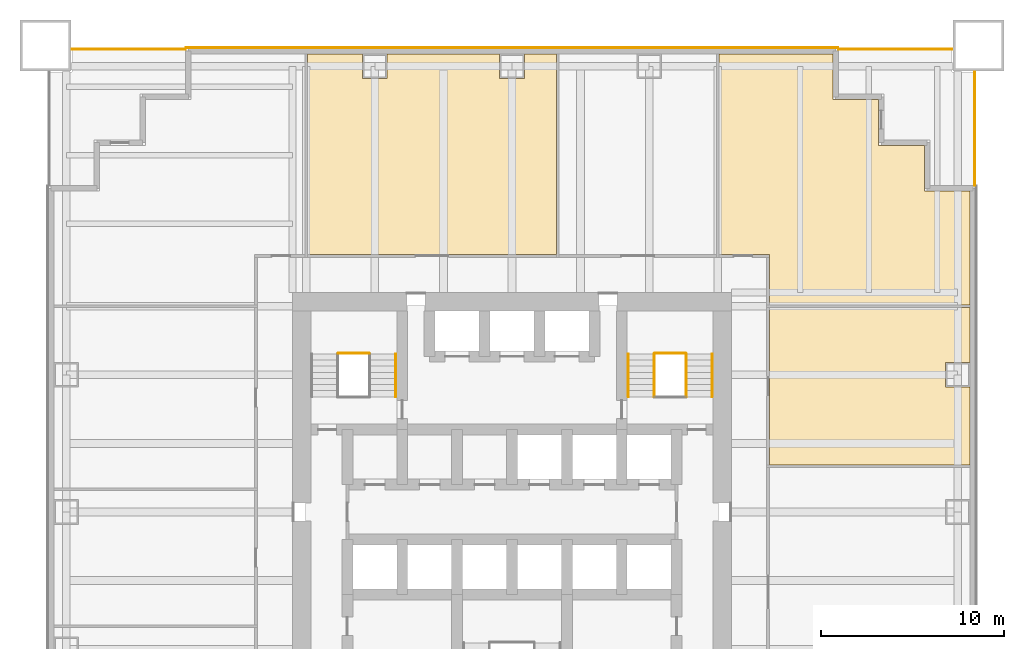
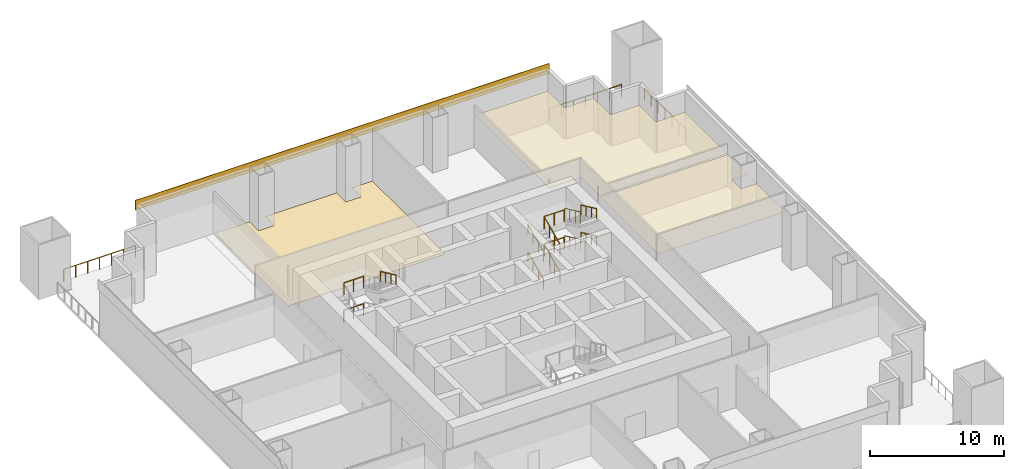
# One storey, part 6 of 6: 16 railings, 4 coverings.
"""IFC4 building model written with IfcOpenShell, lengths in metres."""

from ifc_helpers import new_model, si_unit, direction, frame, origin, origin_2d, place, context, subcontext, project, spatial, polyline, rectangle, circle, outline, extrude, material, layer, layer_set, type_object, element, save


model = new_model("IFC4")

# Units and contexts
model_context = context("Model", 3, precision=1e-05, world=origin(), true_north=direction((0.0, 1.0)))
body_context = subcontext(model_context, "Body", "Model", "MODEL_VIEW")
ifc_project = project(units=[si_unit("LENGTHUNIT", "METRE"), si_unit("AREAUNIT", "SQUARE_METRE"), si_unit("VOLUMEUNIT", "CUBIC_METRE"), si_unit("PLANEANGLEUNIT", "RADIAN"), si_unit("MASSUNIT", "GRAM", prefix="KILO")], contexts=[model_context])

# Site, building, storey
site_placement = place(None, origin())
site = spatial("IfcSite", under=ifc_project, at=site_placement, CompositionType="ELEMENT")
building_placement = place(site_placement, origin())
building = spatial("IfcBuilding", under=site, at=building_placement, Name="Tarangal Relay Tower", CompositionType="ELEMENT")
storey_placement = place(building_placement, frame((0.0, 0.0, 28.39990234375)))
storey = spatial("IfcBuildingStorey", under=building, at=storey_placement, Name="L05", CompositionType="ELEMENT", Elevation=28.39990234375)

# Coverings
ifc_material_1 = material(Name="Anti-static vinyl flooring", Category="plastic")
ifc_layer_1 = layer(ifc_material_1, 0.010009765625)
ifc_layer_set_1 = layer_set([ifc_layer_1], Name="Anti-static vinyl floor")
covering_type_1 = type_object("IfcCoveringType", Name="Anti-static vinyl floor", PredefinedType="FLOORING", material=ifc_layer_set_1)
covering_1_placement = place(storey_placement, origin())
element("IfcCovering", 1, at=covering_1_placement, inside=storey, type_object=covering_type_1, Name="Floor finish FL1 L05-02", PredefinedType="FLOORING", context=body_context, shape_type="SweptSolid", body=[
    extrude(outline(polyline([(2.425048828125, 25.050048828125), (-11.175048828125, 25.050048828125), (-11.175048828125, 14.074951171875), (2.425048828125, 14.074951171875), (2.425048828125, 25.050048828125)]), holes=[polyline([(-6.824951171875, 23.68994140625), (-6.824951171875, 25.0400390625), (-8.175048828125, 25.0400390625), (-8.175048828125, 23.68994140625), (-6.824951171875, 23.68994140625)]), polyline([(0.675048828125, 23.68994140625), (0.675048828125, 25.0400390625), (-0.675048828125, 25.0400390625), (-0.675048828125, 23.68994140625), (0.675048828125, 23.68994140625)])]), origin(), (0.0, 0.0, 1.0), 0.010009765625),
])
ifc_material_2 = material(Name="Black anodised aluminium cladding", Category="aluminium")
ifc_layer_2 = layer(ifc_material_2, 0.050048828125)
ifc_layer_set_2 = layer_set([ifc_layer_2], Name="Black metal spandrel band")
covering_type_2 = type_object("IfcCoveringType", Name="Black metal spandrel band", PredefinedType="CLADDING", material=ifc_layer_set_2)
covering_2_placement = place(storey_placement, frame((0.0, 25.375, 4.250244140625), z_axis=(0.0, 0.0, 1.0), x_axis=(1.0, 0.0, 0.0)))
element("IfcCovering", 2, at=covering_2_placement, inside=storey, type_object=covering_type_2, Name="Spandrel band SB1 N L05", PredefinedType="CLADDING", context=body_context, shape_type="SweptSolid", body=[
    extrude(rectangle(XDim=35.699951171875, YDim=0.050048828125, at=origin_2d()), origin(), (0.0, 0.0, 1.0), 0.89990234375),
])

# Railings
ifc_material_3 = material(Name="Steel guard, black finish", Category="steel")
railing_type_1 = type_object("IfcRailingType", Name="Stair guard 1100", PredefinedType="GUARDRAIL", material=ifc_material_3)
for number, where, name in (
    (3, (-9.5, 8.675048828125, 1.25), "Stair ST-A landing guard GR1 L05"),
    (4, (-9.5, 8.675048828125, 3.75), "Stair ST-A landing guard GR1 L05"),
):
    element("IfcRailing", number, at=place(storey_placement, frame(where)), inside=storey, type_object=railing_type_1, Name=name, PredefinedType="GUARDRAIL", context=body_context, shape_type="SweptSolid", body=[
        extrude(circle(Radius=0.02392578125, at=origin_2d()), frame((0.0, 0.0, 1.076171875), z_axis=(1.0, 0.0, 0.0), x_axis=(0.0, 1.0, 0.0)), (0.0, 0.0, 1.0), 1.699951171875),
        extrude(circle(Radius=0.02099609375, at=origin_2d()), origin(), (0.0, 0.0, 1.0), 1.052001953125),
        extrude(circle(Radius=0.02099609375, at=origin_2d()), frame((0.85009765625, 0.0, 0.0)), (0.0, 0.0, 1.0), 1.052001953125),
        extrude(circle(Radius=0.02099609375, at=origin_2d()), frame((1.699951171875, 0.0, 0.0)), (0.0, 0.0, 1.0), 1.052001953125),
    ])
railing_1_placement = place(storey_placement, frame((7.77001953125, 6.300048828125, 0.15625)))
element("IfcRailing", 5, at=railing_1_placement, inside=storey, type_object=railing_type_1, Name="Stair ST-B guard GR1 L05 flight 1", PredefinedType="GUARDRAIL", context=body_context, shape_type="SweptSolid", body=[
    extrude(circle(Radius=0.02392578125, at=origin_2d()), frame((0.0, 0.0, 1.076171875), z_axis=(0.0, 0.90626748934, 0.422704669676), x_axis=(-1.0, 0.0, 0.0)), (0.0, 0.0, 1.0), 2.58740234375),
    extrude(circle(Radius=0.02099609375, at=origin_2d()), origin(), (0.0, 0.0, 1.0), 1.052001953125),
    extrude(circle(Radius=0.02099609375, at=origin_2d()), frame((0.0, 0.78173828125, 0.364501953125)), (0.0, 0.0, 1.0), 1.052001953125),
    extrude(circle(Radius=0.02099609375, at=origin_2d()), frame((0.0, 1.563232421875, 0.729248046875)), (0.0, 0.0, 1.0), 1.052001953125),
    extrude(circle(Radius=0.02099609375, at=origin_2d()), frame((0.0, 2.344970703125, 1.09375)), (0.0, 0.0, 1.0), 1.052001953125),
])
railing_2_placement = place(storey_placement, frame((9.530029296875, 8.64501953125, 1.40625)))
element("IfcRailing", 6, at=railing_2_placement, inside=storey, type_object=railing_type_1, Name="Stair ST-B guard GR1 L05 flight 2", PredefinedType="GUARDRAIL", context=body_context, shape_type="SweptSolid", body=[
    extrude(circle(Radius=0.02392578125, at=origin_2d()), frame((0.0, 0.0, 1.076171875), z_axis=(0.0, -0.90626748934, 0.422704669676), x_axis=(1.0, 0.0, 0.0)), (0.0, 0.0, 1.0), 2.58740234375),
    extrude(circle(Radius=0.02099609375, at=origin_2d()), origin(), (0.0, 0.0, 1.0), 1.052001953125),
    extrude(circle(Radius=0.02099609375, at=origin_2d()), frame((0.0, -0.78173828125, 0.364501953125)), (0.0, 0.0, 1.0), 1.052001953125),
    extrude(circle(Radius=0.02099609375, at=origin_2d()), frame((0.0, -1.563232421875, 0.729248046875)), (0.0, 0.0, 1.0), 1.052001953125),
    extrude(circle(Radius=0.02099609375, at=origin_2d()), frame((0.0, -2.344970703125, 1.09375)), (0.0, 0.0, 1.0), 1.052001953125),
])
railing_3_placement = place(storey_placement, frame((7.77001953125, 6.300048828125, 2.65625)))
element("IfcRailing", 7, at=railing_3_placement, inside=storey, type_object=railing_type_1, Name="Stair ST-B guard GR1 L05 flight 3", PredefinedType="GUARDRAIL", context=body_context, shape_type="SweptSolid", body=[
    extrude(circle(Radius=0.02392578125, at=origin_2d()), frame((0.0, 0.0, 1.076171875), z_axis=(0.0, 0.90626748934, 0.422704669676), x_axis=(-1.0, 0.0, 0.0)), (0.0, 0.0, 1.0), 2.58740234375),
    extrude(circle(Radius=0.02099609375, at=origin_2d()), origin(), (0.0, 0.0, 1.0), 1.052001953125),
    extrude(circle(Radius=0.02099609375, at=origin_2d()), frame((0.0, 0.78173828125, 0.364501953125)), (0.0, 0.0, 1.0), 1.052001953125),
    extrude(circle(Radius=0.02099609375, at=origin_2d()), frame((0.0, 1.563232421875, 0.729248046875)), (0.0, 0.0, 1.0), 1.052001953125),
    extrude(circle(Radius=0.02099609375, at=origin_2d()), frame((0.0, 2.344970703125, 1.09375)), (0.0, 0.0, 1.0), 1.052001953125),
])
railing_4_placement = place(storey_placement, frame((9.530029296875, 8.64501953125, 3.90625)))
element("IfcRailing", 8, at=railing_4_placement, inside=storey, type_object=railing_type_1, Name="Stair ST-B guard GR1 L05 flight 4", PredefinedType="GUARDRAIL", context=body_context, shape_type="SweptSolid", body=[
    extrude(circle(Radius=0.02392578125, at=origin_2d()), frame((0.0, 0.0, 1.076171875), z_axis=(0.0, -0.90626748934, 0.422704669676), x_axis=(1.0, 0.0, 0.0)), (0.0, 0.0, 1.0), 2.58740234375),
    extrude(circle(Radius=0.02099609375, at=origin_2d()), origin(), (0.0, 0.0, 1.0), 1.052001953125),
    extrude(circle(Radius=0.02099609375, at=origin_2d()), frame((0.0, -0.78173828125, 0.364501953125)), (0.0, 0.0, 1.0), 1.052001953125),
    extrude(circle(Radius=0.02099609375, at=origin_2d()), frame((0.0, -1.563232421875, 0.729248046875)), (0.0, 0.0, 1.0), 1.052001953125),
    extrude(circle(Radius=0.02099609375, at=origin_2d()), frame((0.0, -2.344970703125, 1.09375)), (0.0, 0.0, 1.0), 1.052001953125),
])
for number, where, name in (
    (9, (7.800048828125, 8.675048828125, 1.25), "Stair ST-B landing guard GR1 L05"),
    (10, (7.800048828125, 8.675048828125, 3.75), "Stair ST-B landing guard GR1 L05"),
):
    element("IfcRailing", number, at=place(storey_placement, frame(where)), inside=storey, type_object=railing_type_1, Name=name, PredefinedType="GUARDRAIL", context=body_context, shape_type="SweptSolid", body=[
        extrude(circle(Radius=0.02392578125, at=origin_2d()), frame((0.0, 0.0, 1.076171875), z_axis=(1.0, 0.0, 0.0), x_axis=(0.0, 1.0, 0.0)), (0.0, 0.0, 1.0), 1.699951171875),
        extrude(circle(Radius=0.02099609375, at=origin_2d()), origin(), (0.0, 0.0, 1.0), 1.052001953125),
        extrude(circle(Radius=0.02099609375, at=origin_2d()), frame((0.85009765625, 0.0, 0.0)), (0.0, 0.0, 1.0), 1.052001953125),
        extrude(circle(Radius=0.02099609375, at=origin_2d()), frame((1.699951171875, 0.0, 0.0)), (0.0, 0.0, 1.0), 1.052001953125),
    ])
ifc_material_4 = material(Name="Steel handrail, black finish", Category="steel")
railing_type_2 = type_object("IfcRailingType", Name="Stair handrail 900", PredefinedType="HANDRAIL", material=ifc_material_4)
railing_5_placement = place(storey_placement, frame((-6.360107421875, 8.64501953125, 3.90625)))
element("IfcRailing", 11, at=railing_5_placement, inside=storey, type_object=railing_type_2, Name="Stair ST-A handrail HR1 L05 flight 4", PredefinedType="HANDRAIL", context=body_context, shape_type="SweptSolid", body=[
    extrude(circle(Radius=0.02392578125, at=origin_2d()), frame((0.0, 0.0, 0.8759765625), z_axis=(0.0, -0.90626748934, 0.422704669676), x_axis=(1.0, 0.0, 0.0)), (0.0, 0.0, 1.0), 2.58740234375),
    extrude(circle(Radius=0.02099609375, at=origin_2d()), origin(), (0.0, 0.0, 1.0), 0.851806640625),
    extrude(circle(Radius=0.02099609375, at=origin_2d()), frame((0.0, -0.78173828125, 0.364501953125)), (0.0, 0.0, 1.0), 0.851806640625),
    extrude(circle(Radius=0.02099609375, at=origin_2d()), frame((0.0, -1.563232421875, 0.729248046875)), (0.0, 0.0, 1.0), 0.851806640625),
    extrude(circle(Radius=0.02099609375, at=origin_2d()), frame((0.0, -2.344970703125, 1.09375)), (0.0, 0.0, 1.0), 0.851806640625),
])
railing_6_placement = place(storey_placement, frame((6.360107421875, 6.300048828125, 0.15625)))
element("IfcRailing", 12, at=railing_6_placement, inside=storey, type_object=railing_type_2, Name="Stair ST-B handrail HR1 L05 flight 1", PredefinedType="HANDRAIL", context=body_context, shape_type="SweptSolid", body=[
    extrude(circle(Radius=0.02392578125, at=origin_2d()), frame((0.0, 0.0, 0.8759765625), z_axis=(0.0, 0.90626748934, 0.422704669676), x_axis=(-1.0, 0.0, 0.0)), (0.0, 0.0, 1.0), 2.58740234375),
    extrude(circle(Radius=0.02099609375, at=origin_2d()), origin(), (0.0, 0.0, 1.0), 0.851806640625),
    extrude(circle(Radius=0.02099609375, at=origin_2d()), frame((0.0, 0.78173828125, 0.364501953125)), (0.0, 0.0, 1.0), 0.851806640625),
    extrude(circle(Radius=0.02099609375, at=origin_2d()), frame((0.0, 1.563232421875, 0.729248046875)), (0.0, 0.0, 1.0), 0.851806640625),
    extrude(circle(Radius=0.02099609375, at=origin_2d()), frame((0.0, 2.344970703125, 1.09375)), (0.0, 0.0, 1.0), 0.851806640625),
])
railing_7_placement = place(storey_placement, frame((10.93994140625, 8.64501953125, 1.40625)))
element("IfcRailing", 13, at=railing_7_placement, inside=storey, type_object=railing_type_2, Name="Stair ST-B handrail HR1 L05 flight 2", PredefinedType="HANDRAIL", context=body_context, shape_type="SweptSolid", body=[
    extrude(circle(Radius=0.02392578125, at=origin_2d()), frame((0.0, 0.0, 0.8759765625), z_axis=(0.0, -0.90626748934, 0.422704669676), x_axis=(1.0, 0.0, 0.0)), (0.0, 0.0, 1.0), 2.58740234375),
    extrude(circle(Radius=0.02099609375, at=origin_2d()), origin(), (0.0, 0.0, 1.0), 0.851806640625),
    extrude(circle(Radius=0.02099609375, at=origin_2d()), frame((0.0, -0.78173828125, 0.364501953125)), (0.0, 0.0, 1.0), 0.851806640625),
    extrude(circle(Radius=0.02099609375, at=origin_2d()), frame((0.0, -1.563232421875, 0.729248046875)), (0.0, 0.0, 1.0), 0.851806640625),
    extrude(circle(Radius=0.02099609375, at=origin_2d()), frame((0.0, -2.344970703125, 1.09375)), (0.0, 0.0, 1.0), 0.851806640625),
])
railing_8_placement = place(storey_placement, frame((6.360107421875, 6.300048828125, 2.65625)))
element("IfcRailing", 14, at=railing_8_placement, inside=storey, type_object=railing_type_2, Name="Stair ST-B handrail HR1 L05 flight 3", PredefinedType="HANDRAIL", context=body_context, shape_type="SweptSolid", body=[
    extrude(circle(Radius=0.02392578125, at=origin_2d()), frame((0.0, 0.0, 0.8759765625), z_axis=(0.0, 0.90626748934, 0.422704669676), x_axis=(-1.0, 0.0, 0.0)), (0.0, 0.0, 1.0), 2.58740234375),
    extrude(circle(Radius=0.02099609375, at=origin_2d()), origin(), (0.0, 0.0, 1.0), 0.851806640625),
    extrude(circle(Radius=0.02099609375, at=origin_2d()), frame((0.0, 0.78173828125, 0.364501953125)), (0.0, 0.0, 1.0), 0.851806640625),
    extrude(circle(Radius=0.02099609375, at=origin_2d()), frame((0.0, 1.563232421875, 0.729248046875)), (0.0, 0.0, 1.0), 0.851806640625),
    extrude(circle(Radius=0.02099609375, at=origin_2d()), frame((0.0, 2.344970703125, 1.09375)), (0.0, 0.0, 1.0), 0.851806640625),
])
railing_9_placement = place(storey_placement, frame((10.93994140625, 8.64501953125, 3.90625)))
element("IfcRailing", 15, at=railing_9_placement, inside=storey, type_object=railing_type_2, Name="Stair ST-B handrail HR1 L05 flight 4", PredefinedType="HANDRAIL", context=body_context, shape_type="SweptSolid", body=[
    extrude(circle(Radius=0.02392578125, at=origin_2d()), frame((0.0, 0.0, 0.8759765625), z_axis=(0.0, -0.90626748934, 0.422704669676), x_axis=(1.0, 0.0, 0.0)), (0.0, 0.0, 1.0), 2.58740234375),
    extrude(circle(Radius=0.02099609375, at=origin_2d()), origin(), (0.0, 0.0, 1.0), 0.851806640625),
    extrude(circle(Radius=0.02099609375, at=origin_2d()), frame((0.0, -0.78173828125, 0.364501953125)), (0.0, 0.0, 1.0), 0.851806640625),
    extrude(circle(Radius=0.02099609375, at=origin_2d()), frame((0.0, -1.563232421875, 0.729248046875)), (0.0, 0.0, 1.0), 0.851806640625),
    extrude(circle(Radius=0.02099609375, at=origin_2d()), frame((0.0, -2.344970703125, 1.09375)), (0.0, 0.0, 1.0), 0.851806640625),
])

# Coverings
ifc_material_5 = material(Name="Mineral fibre ceiling tiles", Category="gypsum")
ifc_layer_3 = layer(ifc_material_5, 0.02001953125)
ifc_layer_set_3 = layer_set([ifc_layer_3], Name="Suspended ceiling")
covering_type_3 = type_object("IfcCoveringType", Name="Suspended ceiling", PredefinedType="CEILING", material=ifc_layer_set_3)
covering_3_placement = place(storey_placement, frame((0.0, 0.0, 2.900146484375)))
element("IfcCovering", 16, at=covering_3_placement, inside=storey, type_object=covering_type_3, Name="Suspended ceiling CL1 L05-04", PredefinedType="CEILING", context=body_context, shape_type="SweptSolid", body=[
    extrude(outline(polyline([(25.050048828125, 2.574951171875), (25.050048828125, 11.175048828125), (14.074951171875, 11.175048828125), (14.074951171875, 2.574951171875), (25.050048828125, 2.574951171875)]), holes=[polyline([(25.0400390625, 8.175048828125), (23.68994140625, 8.175048828125), (23.68994140625, 6.824951171875), (25.0400390625, 6.824951171875), (25.0400390625, 8.175048828125)])]), origin(), (0.0, 0.0, 1.0), 0.02001953125),
])
covering_4_placement = place(storey_placement, frame((0.0, 0.0, 2.900146484375)))
element("IfcCovering", 17, at=covering_4_placement, inside=storey, type_object=covering_type_3, Name="Suspended ceiling CL1 L05-12", PredefinedType="CEILING", context=body_context, shape_type="SweptSolid", body=[
    extrude(outline(polyline([(17.550048828125, 25.050048828125), (11.324951171875, 25.050048828125), (11.324951171875, 14.074951171875), (14.074951171875, 14.074951171875), (14.074951171875, 11.324951171875), (25.050048828125, 11.324951171875), (25.050048828125, 17.550048828125), (22.550048828125, 17.550048828125), (22.550048828125, 20.050048828125), (20.050048828125, 20.050048828125), (20.050048828125, 22.550048828125), (17.550048828125, 22.550048828125), (17.550048828125, 25.050048828125)])), origin(), (0.0, 0.0, 1.0), 0.02001953125),
])

# Railings
ifc_material_6 = material(Name="Black steel guard with glass infill", Category="steel")
railing_type_3 = type_object("IfcRailingType", Name="Terrace guard 1100", PredefinedType="GUARDRAIL", material=ifc_material_6)
railing_10_placement = place(storey_placement, frame((17.85009765625, 25.300048828125, 0.0)))
element("IfcRailing", 18, at=railing_10_placement, inside=storey, type_object=railing_type_3, Name="Terrace guard GR2 NE L05", PredefinedType="GUARDRAIL", context=body_context, shape_type="SweptSolid", body=[
    extrude(circle(Radius=0.02392578125, at=origin_2d()), frame((0.0, 0.0, 1.076171875), z_axis=(1.0, 0.0, 0.0), x_axis=(0.0, 1.0, 0.0)), (0.0, 0.0, 1.0), 6.199951171875),
    extrude(circle(Radius=0.02099609375, at=origin_2d()), origin(), (0.0, 0.0, 1.0), 1.052001953125),
    extrude(circle(Radius=0.02099609375, at=origin_2d()), frame((1.033203125, 0.0, 0.0)), (0.0, 0.0, 1.0), 1.052001953125),
    extrude(circle(Radius=0.02099609375, at=origin_2d()), frame((2.066650390625, 0.0, 0.0)), (0.0, 0.0, 1.0), 1.052001953125),
    extrude(circle(Radius=0.02099609375, at=origin_2d()), frame((3.10009765625, 0.0, 0.0)), (0.0, 0.0, 1.0), 1.052001953125),
    extrude(circle(Radius=0.02099609375, at=origin_2d()), frame((4.13330078125, 0.0, 0.0)), (0.0, 0.0, 1.0), 1.052001953125),
    extrude(circle(Radius=0.02099609375, at=origin_2d()), frame((5.16650390625, 0.0, 0.0)), (0.0, 0.0, 1.0), 1.052001953125),
    extrude(circle(Radius=0.02099609375, at=origin_2d()), frame((6.199951171875, 0.0, 0.0)), (0.0, 0.0, 1.0), 1.052001953125),
])
railing_11_placement = place(storey_placement, frame((25.300048828125, 24.050048828125, 0.0)))
element("IfcRailing", 19, at=railing_11_placement, inside=storey, type_object=railing_type_3, Name="Terrace guard GR2 NE L05", PredefinedType="GUARDRAIL", context=body_context, shape_type="SweptSolid", body=[
    extrude(circle(Radius=0.02392578125, at=origin_2d()), frame((0.0, 0.0, 1.076171875), z_axis=(0.0, -1.0, 0.0), x_axis=(1.0, 0.0, 0.0)), (0.0, 0.0, 1.0), 6.199951171875),
    extrude(circle(Radius=0.02099609375, at=origin_2d()), origin(), (0.0, 0.0, 1.0), 1.052001953125),
    extrude(circle(Radius=0.02099609375, at=origin_2d()), frame((0.0, -1.033203125, 0.0)), (0.0, 0.0, 1.0), 1.052001953125),
    extrude(circle(Radius=0.02099609375, at=origin_2d()), frame((0.0, -2.066650390625, 0.0)), (0.0, 0.0, 1.0), 1.052001953125),
    extrude(circle(Radius=0.02099609375, at=origin_2d()), frame((0.0, -3.10009765625, 0.0)), (0.0, 0.0, 1.0), 1.052001953125),
    extrude(circle(Radius=0.02099609375, at=origin_2d()), frame((0.0, -4.13330078125, 0.0)), (0.0, 0.0, 1.0), 1.052001953125),
    extrude(circle(Radius=0.02099609375, at=origin_2d()), frame((0.0, -5.16650390625, 0.0)), (0.0, 0.0, 1.0), 1.052001953125),
    extrude(circle(Radius=0.02099609375, at=origin_2d()), frame((0.0, -6.199951171875, 0.0)), (0.0, 0.0, 1.0), 1.052001953125),
])
railing_12_placement = place(storey_placement, frame((-24.050048828125, 25.300048828125, 0.0)))
element("IfcRailing", 20, at=railing_12_placement, inside=storey, type_object=railing_type_3, Name="Terrace guard GR2 NW L05", PredefinedType="GUARDRAIL", context=body_context, shape_type="SweptSolid", body=[
    extrude(circle(Radius=0.02392578125, at=origin_2d()), frame((0.0, 0.0, 1.076171875), z_axis=(1.0, 0.0, 0.0), x_axis=(0.0, 1.0, 0.0)), (0.0, 0.0, 1.0), 6.199951171875),
    extrude(circle(Radius=0.02099609375, at=origin_2d()), origin(), (0.0, 0.0, 1.0), 1.052001953125),
    extrude(circle(Radius=0.02099609375, at=origin_2d()), frame((1.033203125, 0.0, 0.0)), (0.0, 0.0, 1.0), 1.052001953125),
    extrude(circle(Radius=0.02099609375, at=origin_2d()), frame((2.066650390625, 0.0, 0.0)), (0.0, 0.0, 1.0), 1.052001953125),
    extrude(circle(Radius=0.02099609375, at=origin_2d()), frame((3.10009765625, 0.0, 0.0)), (0.0, 0.0, 1.0), 1.052001953125),
    extrude(circle(Radius=0.02099609375, at=origin_2d()), frame((4.13330078125, 0.0, 0.0)), (0.0, 0.0, 1.0), 1.052001953125),
    extrude(circle(Radius=0.02099609375, at=origin_2d()), frame((5.16650390625, 0.0, 0.0)), (0.0, 0.0, 1.0), 1.052001953125),
    extrude(circle(Radius=0.02099609375, at=origin_2d()), frame((6.199951171875, 0.0, 0.0)), (0.0, 0.0, 1.0), 1.052001953125),
])

save(model, "model.ifc")
